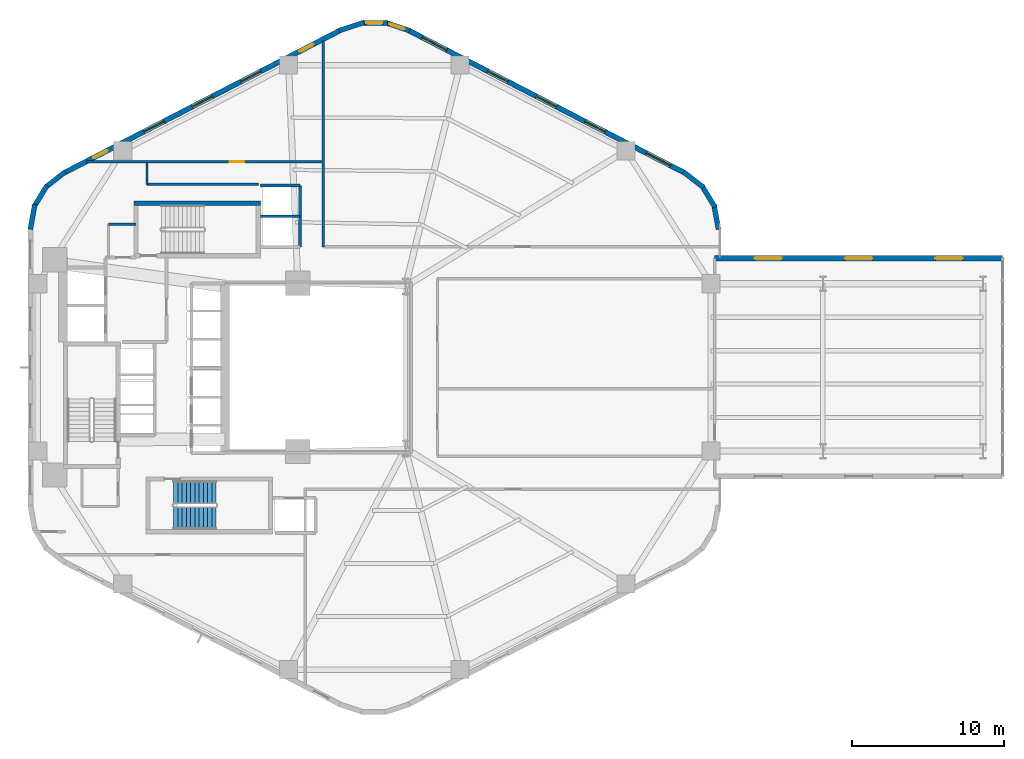
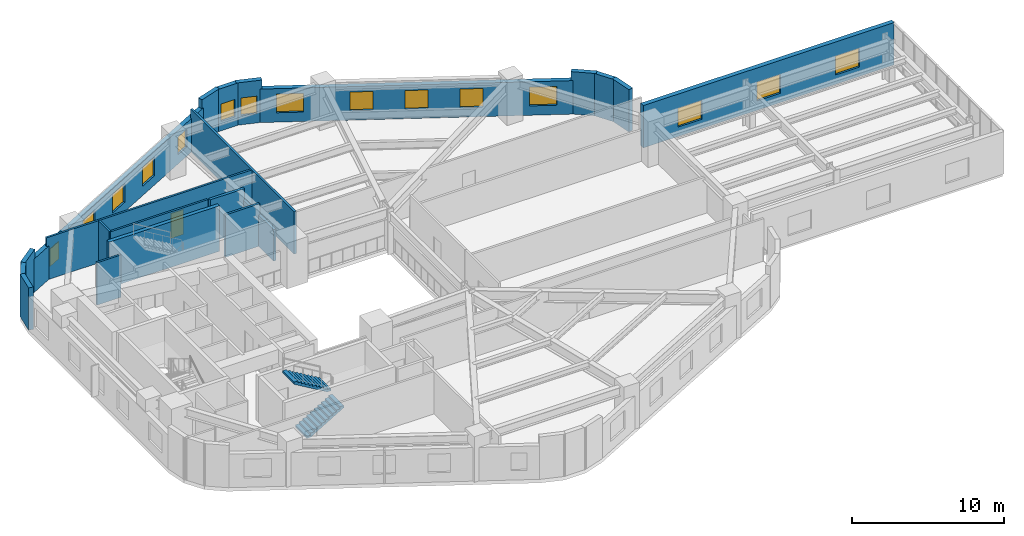
# One storey, part 7 of 10: 21 walls, 15 windows, 2 stair flights, 1 door, 16 openings, 1 element without a shape of its own.
"""IFC4 building model written with IfcOpenShell, lengths in metres."""

from ifc_helpers import new_model, si_unit, direction, frame, frame_2d, origin, place, context, subcontext, project, spatial, polyline, rectangle, outline, extrude, material, layer, layer_set, type_object, element, fill, aggregate, save


model = new_model("IFC4")

# Units and contexts
model_context = context("Model", 3, precision=1e-05, world=origin(), true_north=direction((0.0, 1.0)))
body_context = subcontext(model_context, "Body", "Model", "MODEL_VIEW")
ifc_project = project(units=[si_unit("LENGTHUNIT", "METRE"), si_unit("AREAUNIT", "SQUARE_METRE"), si_unit("VOLUMEUNIT", "CUBIC_METRE"), si_unit("PLANEANGLEUNIT", "RADIAN"), si_unit("MASSUNIT", "GRAM", prefix="KILO"), si_unit("THERMODYNAMICTEMPERATUREUNIT", "KELVIN"), si_unit("POWERUNIT", "WATT")], contexts=[model_context])

# Site, building, storey
site_placement = place(None, origin())
site = spatial("IfcSite", under=ifc_project, at=site_placement, CompositionType="ELEMENT")
building_placement = place(site_placement, origin())
building = spatial("IfcBuilding", under=site, at=building_placement, Name="Skarre Station Tower", CompositionType="ELEMENT")
storey_placement = place(building_placement, frame((0.0, 0.0, 59.85009765625)))
storey = spatial("IfcBuildingStorey", under=building, at=storey_placement, Name="L15", CompositionType="ELEMENT", Elevation=59.85009765625)

# Wall
ifc_material_1 = material(Name="Acoustic Steel-Stud Gypsum Partition", Category="steel")
ifc_layer_1 = layer(ifc_material_1, 0.14990234375, Name="Acoustic Steel-Stud Gypsum Partition")
ifc_layer_set_1 = layer_set([ifc_layer_1], Name="Acoustic Steel-Stud Gypsum Partition")
wall_type_1 = type_object("IfcWallType", Name="Fire-Rated Corridor Acoustic Partition 150", PredefinedType="PARTITIONING", material=ifc_layer_set_1)
wall_1_placement = place(storey_placement, frame((21.659912109375, 33.449951171875, 0.0), z_axis=(0.0, 0.0, 1.0), x_axis=(-1.0, 0.0, 0.0)))
element("IfcWall", 1, at=wall_1_placement, inside=storey, type_object=wall_type_1, Name="L15 Interior Partition WL-PT-L15-CNW-N1", PredefinedType="PARTITIONING", context=body_context, shape_type="SweptSolid", body=[
    extrude(rectangle(XDim=1.809814453125, YDim=0.14990234375, at=frame_2d((0.90478515625, 0.0))), origin(), (0.0, 0.0, 1.0), 3.389892578125),
])

# Wall, opening, door
wall_2_placement = place(storey_placement, frame((34.0, 37.580078125, 0.0), z_axis=(0.0, 0.0, 1.0), x_axis=(-1.0, 0.0, 0.0)))
wall_2 = element("IfcWall", 2, at=wall_2_placement, inside=storey, type_object=wall_type_1, Name="L15 Interior Partition WL-PT-L15-NWW1-CW", PredefinedType="PARTITIONING", context=body_context, shape_type="SweptSolid", body=[
    extrude(rectangle(XDim=15.60009765625, YDim=0.14990234375, at=frame_2d((7.800048828125, 0.0))), origin(), (0.0, 0.0, 1.0), 3.389892578125),
])
opening_1_placement = place(wall_2_placement, frame((5.195068359375, 0.0, 0.0)))
opening_1 = element("IfcOpeningElement", 3, at=opening_1_placement, cuts=wall_2, Name="Opening DR-FD60", PredefinedType="OPENING", context=body_context, shape_type="SweptSolid", body=[
    extrude(rectangle(XDim=0.9599609375, YDim=2.0, at=frame_2d((0.47998046875, 1.0))), frame((0.0, 0.0849609375, 0.0), z_axis=(0.0, -1.0, 0.0), x_axis=(1.0, 0.0, 0.0)), (0.0, 0.0, 1.0), 0.169921875),
])
ifc_material_2 = material(Name="Nordic White-Oak Veneer Solid-Core Fire Leaf", Category="wood")
door_type = type_object("IfcDoorType", Name="Corridor Suite Entry Fire Door FD60 960x2150", OperationType="SINGLE_SWING_LEFT", PredefinedType="DOOR", material=ifc_material_2)
door_placement = place(opening_1_placement, origin())
door = element("IfcDoor", 4, at=door_placement, inside=storey, type_object=door_type, Name="L15 NWW1 Entry Door", OperationType="SINGLE_SWING_LEFT", OverallHeight=2.0, OverallWidth=0.9599609375, PredefinedType="DOOR", context=body_context, shape_type="SweptSolid", body=[
    extrude(rectangle(XDim=0.9599609375, YDim=2.0, at=frame_2d((0.47998046875, 1.0))), frame((0.0, 0.02490234375, 0.0), z_axis=(0.0, -1.0, 0.0), x_axis=(1.0, 0.0, 0.0)), (0.0, 0.0, 1.0), 0.050048828125),
])
fill(opening_1, door)

# Walls
wall_3_placement = place(storey_placement, frame((29.7529296875, 36.080078125, 0.0), z_axis=(0.0, 0.0, 1.0), x_axis=(-1.0, 0.0, 0.0)))
element("IfcWall", 5, at=wall_3_placement, inside=storey, type_object=wall_type_1, Name="L15 Interior Partition WL-PT-L15-CSEAL-1", PredefinedType="PARTITIONING", context=body_context, shape_type="SweptSolid", body=[
    extrude(rectangle(XDim=7.35302734375, YDim=0.14990234375, at=frame_2d((3.676513671875, 0.0))), origin(), (0.0, 0.0, 1.0), 3.389892578125),
])
wall_4_placement = place(storey_placement, frame((22.39990234375, 36.080078125, 0.0), z_axis=(0.0, 0.0, 1.0), x_axis=(0.0, 1.0, 0.0)))
element("IfcWall", 6, at=wall_4_placement, inside=storey, type_object=wall_type_1, Name="L15 Interior Partition WL-PT-L15-CSEAL-2", PredefinedType="PARTITIONING", context=body_context, shape_type="SweptSolid", body=[
    extrude(rectangle(XDim=1.429931640625, YDim=0.14990234375, at=frame_2d((0.71484375, 0.0))), origin(), (0.0, 0.0, 1.0), 3.389892578125),
])

# Wall, openings, windows
ifc_material_3 = material(Name="Precast concrete C45/55", Category="concrete")
ifc_layer_2 = layer(ifc_material_3, 0.340087890625, Name="Precast concrete C45/55")
ifc_layer_set_2 = layer_set([ifc_layer_2], Name="Precast concrete C45/55")
wall_type_2 = type_object("IfcWallType", Name="Nordic Honed Precast Facet Wall 340", PredefinedType="STANDARD", material=ifc_layer_set_2)
wall_5_placement = place(storey_placement, frame((39.631103515625, 46.257080078125, 0.0), z_axis=(0.0, 0.0, 1.0), x_axis=(0.888634413993, -0.458616264721, 0.0)))
wall_5 = element("IfcWall", 7, at=wall_5_placement, inside=storey, type_object=wall_type_2, Name="L15 Facet 0 Nordic Precast Masonry Wall", PredefinedType="STANDARD", context=body_context, shape_type="SweptSolid", body=[
    extrude(rectangle(XDim=20.53125, YDim=0.340087890625, at=frame_2d((10.265625, 0.0))), origin(), (0.0, 0.0, 1.0), 2.683837890625),
])
opening_2_placement = place(wall_5_placement, frame((1.05810546875, 0.0, 0.75)))
opening_2 = element("IfcOpeningElement", 8, at=opening_2_placement, cuts=wall_5, Name="Opening WN-Z1A", PredefinedType="OPENING", context=body_context, shape_type="SweptSolid", body=[
    extrude(rectangle(XDim=1.800048828125, YDim=1.5, at=frame_2d((0.89990234375, 0.75))), frame((0.0, 0.179931640625, 0.0), z_axis=(0.0, -1.0, 0.0), x_axis=(1.0, 0.0, 0.0)), (0.0, 0.0, 1.0), 0.360107421875),
])
opening_3_placement = place(wall_5_placement, frame((5.903076171875, 0.0, 0.75)))
opening_3 = element("IfcOpeningElement", 9, at=opening_3_placement, cuts=wall_5, Name="Opening WN-Z1B", PredefinedType="OPENING", context=body_context, shape_type="SweptSolid", body=[
    extrude(rectangle(XDim=1.5, YDim=1.5, at=frame_2d((0.75, 0.75))), frame((0.0, 0.179931640625, 0.0), z_axis=(0.0, -1.0, 0.0), x_axis=(1.0, 0.0, 0.0)), (0.0, 0.0, 1.0), 0.360107421875),
])
opening_4_placement = place(wall_5_placement, frame((9.51611328125, 0.0, 0.75)))
opening_4 = element("IfcOpeningElement", 10, at=opening_4_placement, cuts=wall_5, Name="Opening WN-Z1B", PredefinedType="OPENING", context=body_context, shape_type="SweptSolid", body=[
    extrude(rectangle(XDim=1.5, YDim=1.5, at=frame_2d((0.75, 0.75))), frame((0.0, 0.179931640625, 0.0), z_axis=(0.0, -1.0, 0.0), x_axis=(1.0, 0.0, 0.0)), (0.0, 0.0, 1.0), 0.360107421875),
])
opening_5_placement = place(wall_5_placement, frame((13.12890625, 0.0, 0.75)))
opening_5 = element("IfcOpeningElement", 11, at=opening_5_placement, cuts=wall_5, Name="Opening WN-Z1B", PredefinedType="OPENING", context=body_context, shape_type="SweptSolid", body=[
    extrude(rectangle(XDim=1.5, YDim=1.5, at=frame_2d((0.75, 0.75))), frame((0.0, 0.179931640625, 0.0), z_axis=(0.0, -1.0, 0.0), x_axis=(1.0, 0.0, 0.0)), (0.0, 0.0, 1.0), 0.360107421875),
])
opening_6_placement = place(wall_5_placement, frame((17.673095703125, 0.0, 0.75)))
opening_6 = element("IfcOpeningElement", 12, at=opening_6_placement, cuts=wall_5, Name="Opening WN-Z1A", PredefinedType="OPENING", context=body_context, shape_type="SweptSolid", body=[
    extrude(rectangle(XDim=1.800048828125, YDim=1.5, at=frame_2d((0.89990234375, 0.75))), frame((0.0, 0.179931640625, 0.0), z_axis=(0.0, -1.0, 0.0), x_axis=(1.0, 0.0, 0.0)), (0.0, 0.0, 1.0), 0.360107421875),
])
ifc_material_4 = material(Name="Low-Iron Triple Glazing with Bronze Anodized Frame", Category="glass")
window_type_1 = type_object("IfcWindowType", Name="Nordic Punched Triple-Glazed Window 1500x1500", PartitioningType="SINGLE_PANEL", PredefinedType="WINDOW", material=ifc_material_4)
window_1_placement = place(opening_3_placement, origin())
window_1 = element("IfcWindow", 13, at=window_1_placement, inside=storey, type_object=window_type_1, Name="L15 Facade Window WL-FAC-L15-F0-2", OverallHeight=1.5, OverallWidth=1.5, PartitioningType="SINGLE_PANEL", PredefinedType="WINDOW", context=body_context, shape_type="SweptSolid", body=[
    extrude(rectangle(XDim=1.5, YDim=1.5, at=frame_2d((0.75, 0.75))), frame((0.0, 0.030029296875, 0.0), z_axis=(0.0, -1.0, 0.0), x_axis=(1.0, 0.0, 0.0)), (0.0, 0.0, 1.0), 0.06005859375),
])
fill(opening_3, window_1)
window_2_placement = place(opening_4_placement, origin())
window_2 = element("IfcWindow", 14, at=window_2_placement, inside=storey, type_object=window_type_1, Name="L15 Facade Window WL-FAC-L15-F0-3", OverallHeight=1.5, OverallWidth=1.5, PartitioningType="SINGLE_PANEL", PredefinedType="WINDOW", context=body_context, shape_type="SweptSolid", body=[
    extrude(rectangle(XDim=1.5, YDim=1.5, at=frame_2d((0.75, 0.75))), frame((0.0, 0.030029296875, 0.0), z_axis=(0.0, -1.0, 0.0), x_axis=(1.0, 0.0, 0.0)), (0.0, 0.0, 1.0), 0.06005859375),
])
fill(opening_4, window_2)
window_3_placement = place(opening_5_placement, origin())
window_3 = element("IfcWindow", 15, at=window_3_placement, inside=storey, type_object=window_type_1, Name="L15 Facade Window WL-FAC-L15-F0-4", OverallHeight=1.5, OverallWidth=1.5, PartitioningType="SINGLE_PANEL", PredefinedType="WINDOW", context=body_context, shape_type="SweptSolid", body=[
    extrude(rectangle(XDim=1.5, YDim=1.5, at=frame_2d((0.75, 0.75))), frame((0.0, 0.030029296875, 0.0), z_axis=(0.0, -1.0, 0.0), x_axis=(1.0, 0.0, 0.0)), (0.0, 0.0, 1.0), 0.06005859375),
])
fill(opening_5, window_3)
window_type_2 = type_object("IfcWindowType", Name="Nordic Punched Triple-Glazed Window 1800x1500", PartitioningType="SINGLE_PANEL", PredefinedType="WINDOW", material=ifc_material_4)
window_4_placement = place(opening_2_placement, origin())
window_4 = element("IfcWindow", 16, at=window_4_placement, inside=storey, type_object=window_type_2, Name="L15 Facade Window WL-FAC-L15-F0-1", OverallHeight=1.5, OverallWidth=1.800048828125, PartitioningType="SINGLE_PANEL", PredefinedType="WINDOW", context=body_context, shape_type="SweptSolid", body=[
    extrude(rectangle(XDim=1.800048828125, YDim=1.5, at=frame_2d((0.89990234375, 0.75))), frame((0.0, 0.030029296875, 0.0), z_axis=(0.0, -1.0, 0.0), x_axis=(1.0, 0.0, 0.0)), (0.0, 0.0, 1.0), 0.06005859375),
])
fill(opening_2, window_4)
window_5_placement = place(opening_6_placement, origin())
window_5 = element("IfcWindow", 17, at=window_5_placement, inside=storey, type_object=window_type_2, Name="L15 Facade Window WL-FAC-L15-F0-5", OverallHeight=1.5, OverallWidth=1.800048828125, PartitioningType="SINGLE_PANEL", PredefinedType="WINDOW", context=body_context, shape_type="SweptSolid", body=[
    extrude(rectangle(XDim=1.800048828125, YDim=1.5, at=frame_2d((0.89990234375, 0.75))), frame((0.0, 0.030029296875, 0.0), z_axis=(0.0, -1.0, 0.0), x_axis=(1.0, 0.0, 0.0)), (0.0, 0.0, 1.0), 0.06005859375),
])
fill(opening_6, window_5)

wall_6_placement = place(storey_placement, frame((16.924072265625, 36.841064453125, 0.0), z_axis=(0.0, 0.0, 1.0), x_axis=(0.888634413993, 0.458616264721, 0.0)))
wall_6 = element("IfcWall", 18, at=wall_6_placement, inside=storey, type_object=wall_type_2, Name="L15 Facet 1 Nordic Precast Masonry Wall", PredefinedType="STANDARD", context=body_context, shape_type="SweptSolid", body=[
    extrude(rectangle(XDim=20.53125, YDim=0.340087890625, at=frame_2d((10.265625, 0.0))), origin(), (0.0, 0.0, 1.0), 2.683837890625),
])
opening_7_placement = place(wall_6_placement, frame((2.160888671875, 0.0, 0.75)))
opening_7 = element("IfcOpeningElement", 19, at=opening_7_placement, cuts=wall_6, Name="Opening WN-SLT", PredefinedType="OPENING", context=body_context, shape_type="SweptSolid", body=[
    extrude(rectangle(XDim=1.050048828125, YDim=1.39990234375, at=frame_2d((0.52490234375, 0.699951171875))), frame((0.0, 0.179931640625, 0.0), z_axis=(0.0, -1.0, 0.0), x_axis=(1.0, 0.0, 0.0)), (0.0, 0.0, 1.0), 0.360107421875),
])
opening_8_placement = place(wall_6_placement, frame((5.903076171875, 0.0, 0.75)))
opening_8 = element("IfcOpeningElement", 20, at=opening_8_placement, cuts=wall_6, Name="Opening WN-Z1B", PredefinedType="OPENING", context=body_context, shape_type="SweptSolid", body=[
    extrude(rectangle(XDim=1.5, YDim=1.5, at=frame_2d((0.75, 0.75))), frame((0.0, 0.179931640625, 0.0), z_axis=(0.0, -1.0, 0.0), x_axis=(1.0, 0.0, 0.0)), (0.0, 0.0, 1.0), 0.360107421875),
])
opening_9_placement = place(wall_6_placement, frame((9.51611328125, 0.0, 0.75)))
opening_9 = element("IfcOpeningElement", 21, at=opening_9_placement, cuts=wall_6, Name="Opening WN-Z1B", PredefinedType="OPENING", context=body_context, shape_type="SweptSolid", body=[
    extrude(rectangle(XDim=1.5, YDim=1.5, at=frame_2d((0.75, 0.75))), frame((0.0, 0.179931640625, 0.0), z_axis=(0.0, -1.0, 0.0), x_axis=(1.0, 0.0, 0.0)), (0.0, 0.0, 1.0), 0.360107421875),
])
opening_10_placement = place(wall_6_placement, frame((13.12890625, 0.0, 0.75)))
opening_10 = element("IfcOpeningElement", 22, at=opening_10_placement, cuts=wall_6, Name="Opening WN-Z1B", PredefinedType="OPENING", context=body_context, shape_type="SweptSolid", body=[
    extrude(rectangle(XDim=1.5, YDim=1.5, at=frame_2d((0.75, 0.75))), frame((0.0, 0.179931640625, 0.0), z_axis=(0.0, -1.0, 0.0), x_axis=(1.0, 0.0, 0.0)), (0.0, 0.0, 1.0), 0.360107421875),
])
opening_11_placement = place(wall_6_placement, frame((17.47607421875, 0.0, 0.75)))
opening_11 = element("IfcOpeningElement", 23, at=opening_11_placement, cuts=wall_6, Name="Opening WN-SLT", PredefinedType="OPENING", context=body_context, shape_type="SweptSolid", body=[
    extrude(rectangle(XDim=1.050048828125, YDim=1.39990234375, at=frame_2d((0.52490234375, 0.699951171875))), frame((0.0, 0.179931640625, 0.0), z_axis=(0.0, -1.0, 0.0), x_axis=(1.0, 0.0, 0.0)), (0.0, 0.0, 1.0), 0.360107421875),
])
window_type_3 = type_object("IfcWindowType", Name="Nordic Corner Slot Window 1050x1400", PartitioningType="SINGLE_PANEL", PredefinedType="WINDOW", material=ifc_material_4)
window_6_placement = place(opening_7_placement, origin())
window_6 = element("IfcWindow", 24, at=window_6_placement, inside=storey, type_object=window_type_3, Name="L15 Facade Window WL-FAC-L15-F1-1", OverallHeight=1.39990234375, OverallWidth=1.050048828125, PartitioningType="SINGLE_PANEL", PredefinedType="WINDOW", context=body_context, shape_type="SweptSolid", body=[
    extrude(rectangle(XDim=1.050048828125, YDim=1.39990234375, at=frame_2d((0.52490234375, 0.699951171875))), frame((0.0, 0.030029296875, 0.0), z_axis=(0.0, -1.0, 0.0), x_axis=(1.0, 0.0, 0.0)), (0.0, 0.0, 1.0), 0.06005859375),
])
fill(opening_7, window_6)
window_7_placement = place(opening_11_placement, origin())
window_7 = element("IfcWindow", 25, at=window_7_placement, inside=storey, type_object=window_type_3, Name="L15 Facade Window WL-FAC-L15-F1-5", OverallHeight=1.39990234375, OverallWidth=1.050048828125, PartitioningType="SINGLE_PANEL", PredefinedType="WINDOW", context=body_context, shape_type="SweptSolid", body=[
    extrude(rectangle(XDim=1.050048828125, YDim=1.39990234375, at=frame_2d((0.52490234375, 0.699951171875))), frame((0.0, 0.030029296875, 0.0), z_axis=(0.0, -1.0, 0.0), x_axis=(1.0, 0.0, 0.0)), (0.0, 0.0, 1.0), 0.06005859375),
])
fill(opening_11, window_7)
window_8_placement = place(opening_8_placement, origin())
window_8 = element("IfcWindow", 26, at=window_8_placement, inside=storey, type_object=window_type_1, Name="L15 Facade Window WL-FAC-L15-F1-2", OverallHeight=1.5, OverallWidth=1.5, PartitioningType="SINGLE_PANEL", PredefinedType="WINDOW", context=body_context, shape_type="SweptSolid", body=[
    extrude(rectangle(XDim=1.5, YDim=1.5, at=frame_2d((0.75, 0.75))), frame((0.0, 0.030029296875, 0.0), z_axis=(0.0, -1.0, 0.0), x_axis=(1.0, 0.0, 0.0)), (0.0, 0.0, 1.0), 0.06005859375),
])
fill(opening_8, window_8)
window_9_placement = place(opening_9_placement, origin())
window_9 = element("IfcWindow", 27, at=window_9_placement, inside=storey, type_object=window_type_1, Name="L15 Facade Window WL-FAC-L15-F1-3", OverallHeight=1.5, OverallWidth=1.5, PartitioningType="SINGLE_PANEL", PredefinedType="WINDOW", context=body_context, shape_type="SweptSolid", body=[
    extrude(rectangle(XDim=1.5, YDim=1.5, at=frame_2d((0.75, 0.75))), frame((0.0, 0.030029296875, 0.0), z_axis=(0.0, -1.0, 0.0), x_axis=(1.0, 0.0, 0.0)), (0.0, 0.0, 1.0), 0.06005859375),
])
fill(opening_9, window_9)
window_10_placement = place(opening_10_placement, origin())
window_10 = element("IfcWindow", 28, at=window_10_placement, inside=storey, type_object=window_type_1, Name="L15 Facade Window WL-FAC-L15-F1-4", OverallHeight=1.5, OverallWidth=1.5, PartitioningType="SINGLE_PANEL", PredefinedType="WINDOW", context=body_context, shape_type="SweptSolid", body=[
    extrude(rectangle(XDim=1.5, YDim=1.5, at=frame_2d((0.75, 0.75))), frame((0.0, 0.030029296875, 0.0), z_axis=(0.0, -1.0, 0.0), x_axis=(1.0, 0.0, 0.0)), (0.0, 0.0, 1.0), 0.06005859375),
])
fill(opening_10, window_10)

wall_7_placement = place(storey_placement, frame((59.863037109375, 31.199951171875, 0.0), z_axis=(0.0, 0.0, 1.0), x_axis=(1.0, 0.0, 0.0)))
wall_7 = element("IfcWall", 29, at=wall_7_placement, inside=storey, type_object=wall_type_2, Name="L15 SB-1 Side 2 Precast Wall", PredefinedType="STANDARD", context=body_context, shape_type="SweptSolid", body=[
    extrude(rectangle(XDim=19.0, YDim=0.340087890625, at=frame_2d((9.5, 0.0))), origin(), (0.0, 0.0, 1.0), 3.389892578125),
])
opening_12_placement = place(wall_7_placement, frame((2.633056640625, 0.0, 0.75)))
opening_12 = element("IfcOpeningElement", 30, at=opening_12_placement, cuts=wall_7, Name="Opening WN-Z1A", PredefinedType="OPENING", context=body_context, shape_type="SweptSolid", body=[
    extrude(rectangle(XDim=1.800048828125, YDim=1.5, at=frame_2d((0.89990234375, 0.75))), frame((0.0, 0.179931640625, 0.0), z_axis=(0.0, -1.0, 0.0), x_axis=(1.0, 0.0, 0.0)), (0.0, 0.0, 1.0), 0.360107421875),
])
opening_13_placement = place(wall_7_placement, frame((8.60009765625, 0.0, 0.75)))
opening_13 = element("IfcOpeningElement", 31, at=opening_13_placement, cuts=wall_7, Name="Opening WN-Z1A", PredefinedType="OPENING", context=body_context, shape_type="SweptSolid", body=[
    extrude(rectangle(XDim=1.800048828125, YDim=1.5, at=frame_2d((0.89990234375, 0.75))), frame((0.0, 0.179931640625, 0.0), z_axis=(0.0, -1.0, 0.0), x_axis=(1.0, 0.0, 0.0)), (0.0, 0.0, 1.0), 0.360107421875),
])
opening_14_placement = place(wall_7_placement, frame((14.56689453125, 0.0, 0.75)))
opening_14 = element("IfcOpeningElement", 32, at=opening_14_placement, cuts=wall_7, Name="Opening WN-Z1A", PredefinedType="OPENING", context=body_context, shape_type="SweptSolid", body=[
    extrude(rectangle(XDim=1.800048828125, YDim=1.5, at=frame_2d((0.89990234375, 0.75))), frame((0.0, 0.179931640625, 0.0), z_axis=(0.0, -1.0, 0.0), x_axis=(1.0, 0.0, 0.0)), (0.0, 0.0, 1.0), 0.360107421875),
])
window_11_placement = place(opening_12_placement, origin())
window_11 = element("IfcWindow", 33, at=window_11_placement, inside=storey, type_object=window_type_2, Name="L15 Facade Window WL-SB-1-L15-S2-1", OverallHeight=1.5, OverallWidth=1.800048828125, PartitioningType="SINGLE_PANEL", PredefinedType="WINDOW", context=body_context, shape_type="SweptSolid", body=[
    extrude(rectangle(XDim=1.800048828125, YDim=1.5, at=frame_2d((0.89990234375, 0.75))), frame((0.0, 0.030029296875, 0.0), z_axis=(0.0, -1.0, 0.0), x_axis=(1.0, 0.0, 0.0)), (0.0, 0.0, 1.0), 0.06005859375),
])
fill(opening_12, window_11)
window_12_placement = place(opening_13_placement, origin())
window_12 = element("IfcWindow", 34, at=window_12_placement, inside=storey, type_object=window_type_2, Name="L15 Facade Window WL-SB-1-L15-S2-2", OverallHeight=1.5, OverallWidth=1.800048828125, PartitioningType="SINGLE_PANEL", PredefinedType="WINDOW", context=body_context, shape_type="SweptSolid", body=[
    extrude(rectangle(XDim=1.800048828125, YDim=1.5, at=frame_2d((0.89990234375, 0.75))), frame((0.0, 0.030029296875, 0.0), z_axis=(0.0, -1.0, 0.0), x_axis=(1.0, 0.0, 0.0)), (0.0, 0.0, 1.0), 0.06005859375),
])
fill(opening_13, window_12)
window_13_placement = place(opening_14_placement, origin())
window_13 = element("IfcWindow", 35, at=window_13_placement, inside=storey, type_object=window_type_2, Name="L15 Facade Window WL-SB-1-L15-S2-3", OverallHeight=1.5, OverallWidth=1.800048828125, PartitioningType="SINGLE_PANEL", PredefinedType="WINDOW", context=body_context, shape_type="SweptSolid", body=[
    extrude(rectangle(XDim=1.800048828125, YDim=1.5, at=frame_2d((0.89990234375, 0.75))), frame((0.0, 0.030029296875, 0.0), z_axis=(0.0, -1.0, 0.0), x_axis=(1.0, 0.0, 0.0)), (0.0, 0.0, 1.0), 0.06005859375),
])
fill(opening_14, window_13)

# Walls
ifc_layer_3 = layer(ifc_material_3, 0.330078125, Name="Precast concrete C45/55")
ifc_layer_set_3 = layer_set([ifc_layer_3], Name="Precast concrete C45/55")
wall_type_3 = type_object("IfcWallType", Name="Nordic Rounded Corner Precast Wall 330", PredefinedType="STANDARD", material=ifc_layer_set_3)
wall_8_placement = place(storey_placement, frame((57.802001953125, 36.90087890625, 0.0), z_axis=(0.0, 0.0, 1.0), x_axis=(0.790691856293, -0.61221433207, 0.0)))
element("IfcWall", 36, at=wall_8_placement, inside=storey, type_object=wall_type_3, Name="L15 Rounded Corner Precast Wall F0-1", PredefinedType="STANDARD", context=body_context, shape_type="SweptSolid", body=[
    extrude(rectangle(XDim=1.67578125, YDim=0.330078125, at=frame_2d((0.837890625, 0.0))), origin(), (0.0, 0.0, 1.0), 3.389892578125),
])
wall_9_placement = place(storey_placement, frame((59.001953125, 36.014892578125, 0.0), z_axis=(0.0, 0.0, 1.0), x_axis=(0.520584129191, -0.853810379671, 0.0)))
element("IfcWall", 37, at=wall_9_placement, inside=storey, type_object=wall_type_3, Name="L15 Rounded Corner Precast Wall F0-2", PredefinedType="STANDARD", context=body_context, shape_type="SweptSolid", body=[
    extrude(rectangle(XDim=1.677001953125, YDim=0.330078125, at=frame_2d((0.83837890625, 0.0))), origin(), (0.0, 0.0, 1.0), 3.389892578125),
])
wall_10_placement = place(storey_placement, frame((59.80810546875, 34.758056640625, 0.0), z_axis=(0.0, 0.0, 1.0), x_axis=(0.181714143354, -0.983351397063, 0.0)))
element("IfcWall", 38, at=wall_10_placement, inside=storey, type_object=wall_type_3, Name="L15 Rounded Corner Precast Wall F0-3", PredefinedType="STANDARD", context=body_context, shape_type="SweptSolid", body=[
    extrude(rectangle(XDim=1.677978515625, YDim=0.330078125, at=frame_2d((0.8388671875, 0.0))), origin(), (0.0, 0.0, 1.0), 3.389892578125),
])
wall_11_placement = place(storey_placement, frame((35.0810546875, 46.23095703125, 0.0), z_axis=(0.0, 0.0, 1.0), x_axis=(0.94976901097, 0.312951794691, 0.0)))
element("IfcWall", 39, at=wall_11_placement, inside=storey, type_object=wall_type_3, Name="L15 Rounded Corner Precast Wall F1-1", PredefinedType="STANDARD", context=body_context, shape_type="SweptSolid", body=[
    extrude(rectangle(XDim=1.722412109375, YDim=0.330078125, at=frame_2d((0.861328125, 0.0))), origin(), (0.0, 0.0, 1.0), 3.389892578125),
])

# Wall, opening, window
wall_12_placement = place(storey_placement, frame((36.5390625, 46.740966796875, 0.0), z_axis=(0.0, 0.0, 1.0), x_axis=(1.0, 0.0, 0.0)))
wall_12 = element("IfcWall", 40, at=wall_12_placement, inside=storey, type_object=wall_type_3, Name="L15 Rounded Corner Precast Wall F1-2", PredefinedType="STANDARD", context=body_context, shape_type="SweptSolid", body=[
    extrude(rectangle(XDim=1.721923828125, YDim=0.330078125, at=frame_2d((0.86083984375, 0.0))), origin(), (0.0, 0.0, 1.0), 3.389892578125),
])
opening_15_placement = place(wall_12_placement, frame((0.3359375, 0.0, 0.75)))
opening_15 = element("IfcOpeningElement", 41, at=opening_15_placement, cuts=wall_12, Name="Opening WN-SLT", PredefinedType="OPENING", context=body_context, shape_type="SweptSolid", body=[
    extrude(rectangle(XDim=1.050048828125, YDim=1.39990234375, at=frame_2d((0.52490234375, 0.699951171875))), frame((0.0, 0.175048828125, 0.0), z_axis=(0.0, -1.0, 0.0), x_axis=(1.0, 0.0, 0.0)), (0.0, 0.0, 1.0), 0.35009765625),
])
window_14_placement = place(opening_15_placement, origin())
window_14 = element("IfcWindow", 42, at=window_14_placement, inside=storey, type_object=window_type_3, Name="L15 Apex Corner Slot Window F1-2", OverallHeight=1.39990234375, OverallWidth=1.050048828125, PartitioningType="SINGLE_PANEL", PredefinedType="WINDOW", context=body_context, shape_type="SweptSolid", body=[
    extrude(rectangle(XDim=1.050048828125, YDim=1.39990234375, at=frame_2d((0.52490234375, 0.699951171875))), frame((0.0, 0.030029296875, 0.0), z_axis=(0.0, -1.0, 0.0), x_axis=(1.0, 0.0, 0.0)), (0.0, 0.0, 1.0), 0.06005859375),
])
fill(opening_15, window_14)

wall_13_placement = place(storey_placement, frame((38.0830078125, 46.77001953125, 0.0), z_axis=(0.0, 0.0, 1.0), x_axis=(0.94976901097, -0.312951794691, 0.0)))
wall_13 = element("IfcWall", 43, at=wall_13_placement, inside=storey, type_object=wall_type_3, Name="L15 Rounded Corner Precast Wall F1-3", PredefinedType="STANDARD", context=body_context, shape_type="SweptSolid", body=[
    extrude(rectangle(XDim=1.722412109375, YDim=0.330078125, at=frame_2d((0.861328125, 0.0))), origin(), (0.0, 0.0, 1.0), 3.389892578125),
])
opening_16_placement = place(wall_13_placement, frame((0.3359375, 0.0, 0.75)))
opening_16 = element("IfcOpeningElement", 44, at=opening_16_placement, cuts=wall_13, Name="Opening WN-SLT", PredefinedType="OPENING", context=body_context, shape_type="SweptSolid", body=[
    extrude(rectangle(XDim=1.050048828125, YDim=1.39990234375, at=frame_2d((0.52490234375, 0.699951171875))), frame((0.0, 0.175048828125, 0.0), z_axis=(0.0, -1.0, 0.0), x_axis=(1.0, 0.0, 0.0)), (0.0, 0.0, 1.0), 0.35009765625),
])
window_15_placement = place(opening_16_placement, origin())
window_15 = element("IfcWindow", 45, at=window_15_placement, inside=storey, type_object=window_type_3, Name="L15 Apex Corner Slot Window F1-3", OverallHeight=1.39990234375, OverallWidth=1.050048828125, PartitioningType="SINGLE_PANEL", PredefinedType="WINDOW", context=body_context, shape_type="SweptSolid", body=[
    extrude(rectangle(XDim=1.050048828125, YDim=1.39990234375, at=frame_2d((0.52490234375, 0.699951171875))), frame((0.0, 0.030029296875, 0.0), z_axis=(0.0, -1.0, 0.0), x_axis=(1.0, 0.0, 0.0)), (0.0, 0.0, 1.0), 0.06005859375),
])
fill(opening_16, window_15)

# Walls
wall_14_placement = place(storey_placement, frame((14.68701171875, 33.10791015625, 0.0), z_axis=(0.0, 0.0, 1.0), x_axis=(0.181714143354, 0.983351397063, 0.0)))
element("IfcWall", 46, at=wall_14_placement, inside=storey, type_object=wall_type_3, Name="L15 Rounded Corner Precast Wall F2-1", PredefinedType="STANDARD", context=body_context, shape_type="SweptSolid", body=[
    extrude(rectangle(XDim=1.677978515625, YDim=0.330078125, at=frame_2d((0.8388671875, 0.0))), origin(), (0.0, 0.0, 1.0), 3.389892578125),
])
wall_15_placement = place(storey_placement, frame((14.925048828125, 34.5830078125, 0.0), z_axis=(0.0, 0.0, 1.0), x_axis=(0.520584129191, 0.853810379671, 0.0)))
element("IfcWall", 47, at=wall_15_placement, inside=storey, type_object=wall_type_3, Name="L15 Rounded Corner Precast Wall F2-2", PredefinedType="STANDARD", context=body_context, shape_type="SweptSolid", body=[
    extrude(rectangle(XDim=1.677001953125, YDim=0.330078125, at=frame_2d((0.83837890625, 0.0))), origin(), (0.0, 0.0, 1.0), 3.389892578125),
])
wall_16_placement = place(storey_placement, frame((15.673095703125, 35.875, 0.0), z_axis=(0.0, 0.0, 1.0), x_axis=(0.790691856293, 0.61221433207, 0.0)))
element("IfcWall", 48, at=wall_16_placement, inside=storey, type_object=wall_type_3, Name="L15 Rounded Corner Precast Wall F2-3", PredefinedType="STANDARD", context=body_context, shape_type="SweptSolid", body=[
    extrude(rectangle(XDim=1.67578125, YDim=0.330078125, at=frame_2d((0.837890625, 0.0))), origin(), (0.0, 0.0, 1.0), 3.389892578125),
])
ifc_material_5 = material(Name="Concrete C50/60", Category="concrete")
ifc_layer_4 = layer(ifc_material_5, 0.280029296875, Name="Concrete C50/60")
ifc_layer_set_4 = layer_set([ifc_layer_4], Name="Concrete C50/60")
wall_type_4 = type_object("IfcWallType", Name="RC Core Shear Wall 280", PredefinedType="SHEAR", material=ifc_layer_set_4)
wall_17_placement = place(storey_placement, frame((29.8798828125, 34.840087890625, 0.0), z_axis=(0.0, 0.0, 1.0), x_axis=(-1.0, 0.0, 0.0)))
element("IfcWall", 49, at=wall_17_placement, inside=storey, type_object=wall_type_4, Name="L15 Stair ST-3 North Shear Wall", PredefinedType="SHEAR", context=body_context, shape_type="SweptSolid", body=[
    extrude(rectangle(XDim=8.35986328125, YDim=0.280029296875, at=frame_2d((4.179931640625, 0.0))), origin(), (0.0, 0.0, 1.0), 3.64990234375),
])
ifc_material_6 = material(Name="Gypsum Concrete Shaft Assembly C30/37", Category="concrete")
ifc_layer_5 = layer(ifc_material_6, 0.199951171875, Name="Gypsum Concrete Shaft Assembly C30/37")
ifc_layer_set_5 = layer_set([ifc_layer_5], Name="Gypsum Concrete Shaft Assembly C30/37")
wall_type_5 = type_object("IfcWallType", Name="Shaft & Core Fire Partition 200", PredefinedType="PARTITIONING", material=ifc_layer_set_5)
wall_18_placement = place(storey_placement, frame((32.47998046875, 31.949951171875, 0.0), z_axis=(0.0, 0.0, 1.0), x_axis=(0.0, 1.0, 0.0)))
element("IfcWall", 50, at=wall_18_placement, inside=storey, type_object=wall_type_5, Name="L15 Interior Partition WL-PT-L15-EX-E", PredefinedType="PARTITIONING", context=body_context, shape_type="SweptSolid", body=[
    extrude(rectangle(XDim=4.050048828125, YDim=0.199951171875, at=frame_2d((2.02490234375, 0.0))), origin(), (0.0, 0.0, 1.0), 2.512939453125),
])
wall_19_placement = place(storey_placement, frame((29.8798828125, 36.0, 0.0), z_axis=(0.0, 0.0, 1.0), x_axis=(1.0, 0.0, 0.0)))
element("IfcWall", 51, at=wall_19_placement, inside=storey, type_object=wall_type_5, Name="L15 Interior Partition WL-PT-L15-EX-N", PredefinedType="PARTITIONING", context=body_context, shape_type="SweptSolid", body=[
    extrude(rectangle(XDim=2.60009765625, YDim=0.199951171875, at=frame_2d((1.300048828125, 0.0))), origin(), (0.0, 0.0, 1.0), 3.389892578125),
])
wall_20_placement = place(storey_placement, frame((29.875, 33.97998046875, 0.0), z_axis=(0.0, 0.0, 1.0), x_axis=(1.0, 0.0, 0.0)))
element("IfcWall", 52, at=wall_20_placement, inside=storey, type_object=wall_type_5, Name="L15 Interior Partition WL-PT-L15-EX-DIV", PredefinedType="PARTITIONING", context=body_context, shape_type="SweptSolid", body=[
    extrude(rectangle(XDim=2.60498046875, YDim=0.159912109375, at=frame_2d((1.302490234375, 0.0))), origin(), (0.0, 0.0, 1.0), 3.389892578125),
])
ifc_layer_6 = layer(ifc_material_1, 0.1650390625, Name="Acoustic Steel-Stud Gypsum Partition")
ifc_layer_set_6 = layer_set([ifc_layer_6], Name="Acoustic Steel-Stud Gypsum Partition")
wall_type_6 = type_object("IfcWallType", Name="Suite Demising Acoustic Partition 165", PredefinedType="PARTITIONING", material=ifc_layer_set_6)
wall_21_placement = place(storey_placement, frame((34.0400390625, 31.9599609375, 0.0), z_axis=(0.0, 0.0, 1.0), x_axis=(0.0, 1.0, 0.0)))
element("IfcWall", 53, at=wall_21_placement, inside=storey, type_object=wall_type_6, Name="L15 Interior Partition WL-PT-L15-NW-WBND", PredefinedType="PARTITIONING", context=body_context, shape_type="SweptSolid", body=[
    extrude(rectangle(XDim=13.5791015625, YDim=0.1650390625, at=frame_2d((6.78955078125, 0.0))), origin(), (0.0, 0.0, 1.0), 3.389892578125),
])

# Stair, stair flights
ifc_material_7 = material(Name="Concrete C40/50", Category="concrete")
stair_type = type_object("IfcStairType", Name="Reinforced Concrete Exit Stair ST-2", PredefinedType="HALF_TURN_STAIR", material=ifc_material_7)
stair_placement = place(storey_placement, origin())
stair = element("IfcStair", 54, at=stair_placement, inside=storey, type_object=stair_type, Name="L15 Core Exit Stair ST-2", PredefinedType="HALF_TURN_STAIR")
stair_flight_type = type_object("IfcStairFlightType", Name="Reinforced Concrete Stair Flight ST-2", PredefinedType="STRAIGHT", material=ifc_material_7)
stair_flight_1_placement = place(storey_placement, frame((24.14990234375, 14.06005859375, 0.0), z_axis=(0.0, 0.0, 1.0), x_axis=(1.0, 0.0, 0.0)))
stair_flight_1 = element("IfcStairFlight", 55, at=stair_flight_1_placement, type_object=stair_flight_type, Name="ST-2 flight 1", NumberOfRisers=11, NumberOfTreads=10, PredefinedType="STRAIGHT", RiserHeight=0.165909091, TreadLength=0.28, context=body_context, shape_type="SweptSolid", body=[
    extrude(outline(polyline([(0.0, 0.0), (0.0, 0.166015625), (0.280029296875, 0.166015625), (0.280029296875, 0.331787109375), (0.56005859375, 0.331787109375), (0.56005859375, 0.497802734375), (0.840087890625, 0.497802734375), (0.840087890625, 0.66357421875), (1.1201171875, 0.66357421875), (1.1201171875, 0.82958984375), (1.39990234375, 0.82958984375), (1.39990234375, 0.995361328125), (1.679931640625, 0.995361328125), (1.679931640625, 1.161376953125), (1.9599609375, 1.161376953125), (1.9599609375, 1.327392578125), (2.239990234375, 1.327392578125), (2.239990234375, 1.4931640625), (2.52001953125, 1.4931640625), (2.52001953125, 1.6591796875), (2.800048828125, 1.6591796875), (2.800048828125, 1.824951171875), (2.800048828125, 1.48486328125), (0.2939453125, 0.0), (0.0, 0.0)])), frame((0.0, 0.760009765625, 0.0), z_axis=(0.0, -1.0, 0.0), x_axis=(1.0, 0.0, 0.0)), (0.0, 0.0, 1.0), 1.52001953125),
])
stair_flight_2_placement = place(storey_placement, frame((26.949951171875, 15.739990234375, 1.824951171875), z_axis=(0.0, 0.0, 1.0), x_axis=(-1.0, 0.0, 0.0)))
stair_flight_2 = element("IfcStairFlight", 56, at=stair_flight_2_placement, type_object=stair_flight_type, Name="ST-2 flight 2", NumberOfRisers=11, NumberOfTreads=10, PredefinedType="STRAIGHT", RiserHeight=0.165909091, TreadLength=0.28, context=body_context, shape_type="SweptSolid", body=[
    extrude(outline(polyline([(0.0, 0.0), (0.0, 0.166015625), (0.280029296875, 0.166015625), (0.280029296875, 0.331787109375), (0.56005859375, 0.331787109375), (0.56005859375, 0.497802734375), (0.840087890625, 0.497802734375), (0.840087890625, 0.66357421875), (1.1201171875, 0.66357421875), (1.1201171875, 0.82958984375), (1.39990234375, 0.82958984375), (1.39990234375, 0.995361328125), (1.679931640625, 0.995361328125), (1.679931640625, 1.161376953125), (1.9599609375, 1.161376953125), (1.9599609375, 1.327392578125), (2.239990234375, 1.327392578125), (2.239990234375, 1.4931640625), (2.52001953125, 1.4931640625), (2.52001953125, 1.6591796875), (2.800048828125, 1.6591796875), (2.800048828125, 1.824951171875), (2.800048828125, 1.48486328125), (0.2939453125, 0.0), (0.0, 0.0)])), frame((0.0, 0.760009765625, 0.0), z_axis=(0.0, -1.0, 0.0), x_axis=(1.0, 0.0, 0.0)), (0.0, 0.0, 1.0), 1.52001953125),
])
aggregate(stair, [stair_flight_1, stair_flight_2])

save(model, "model.ifc")
